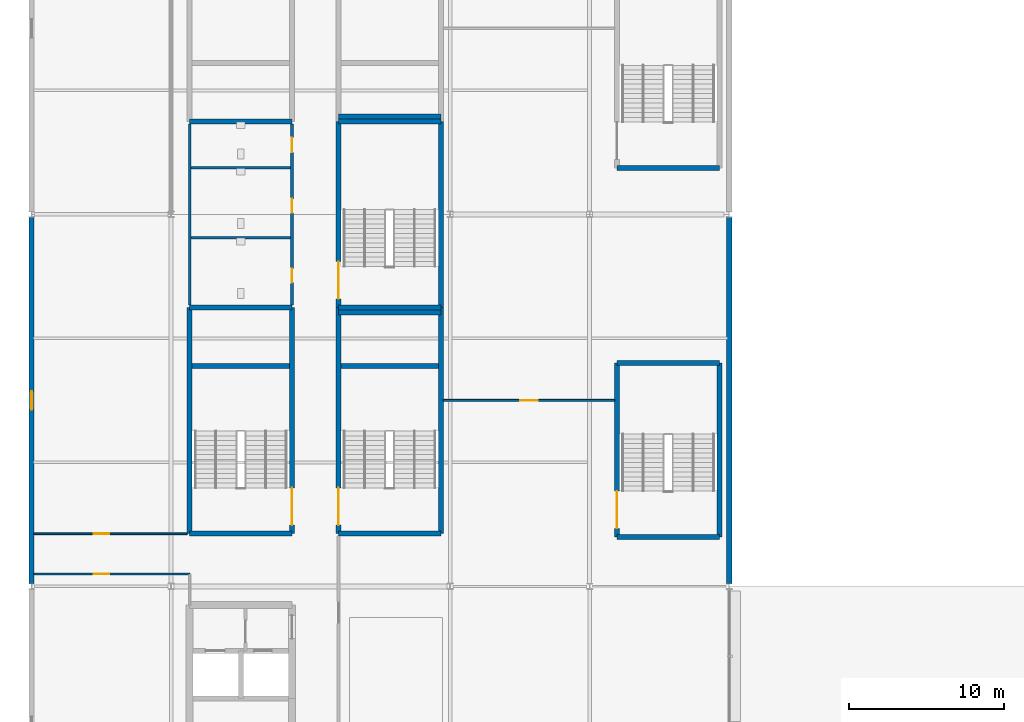
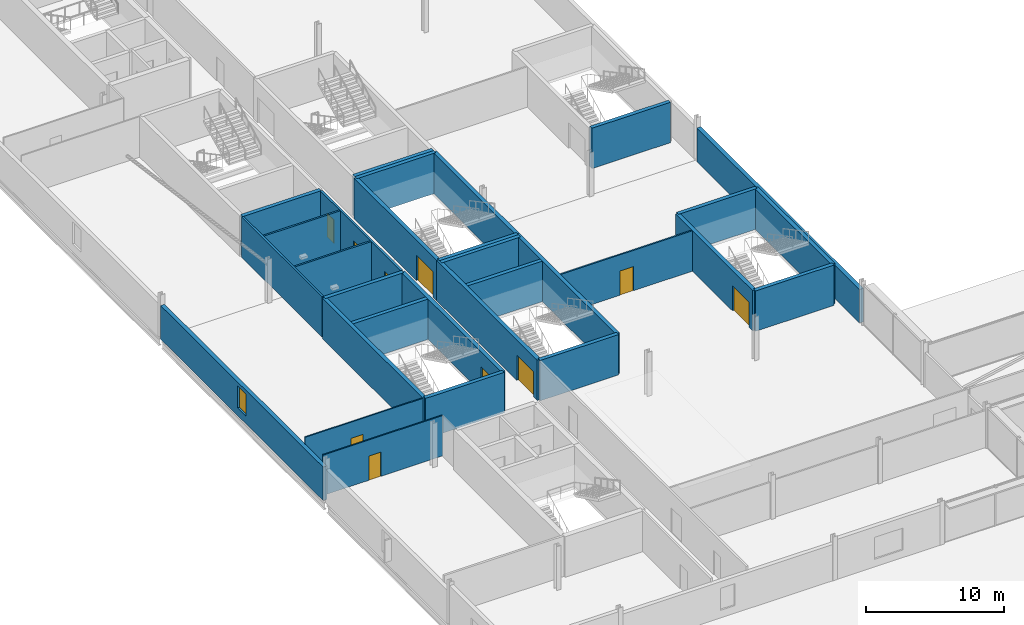
# One storey, part 61 of 105: 30 walls, 10 doors, 1 window, 11 openings.
"""IFC4 building model written with IfcOpenShell, lengths in metres."""

from ifc_helpers import new_model, si_unit, direction, frame, frame_2d, origin, place, context, subcontext, project, spatial, rectangle, extrude, material, layer, layer_set, type_object, element, fill, save


model = new_model("IFC4")

# Units and contexts
model_context = context("Model", 3, precision=1e-05, world=origin(), true_north=direction((0.0, 1.0)))
body_context = subcontext(model_context, "Body", "Model", "MODEL_VIEW")
ifc_project = project(units=[si_unit("LENGTHUNIT", "METRE"), si_unit("AREAUNIT", "SQUARE_METRE"), si_unit("VOLUMEUNIT", "CUBIC_METRE"), si_unit("PLANEANGLEUNIT", "RADIAN"), si_unit("MASSUNIT", "GRAM", prefix="KILO")], contexts=[model_context])

# Site, building, storey
site_placement = place(None, origin())
site = spatial("IfcSite", under=ifc_project, at=site_placement, CompositionType="ELEMENT")
building_placement = place(site_placement, origin())
building = spatial("IfcBuilding", under=site, at=building_placement, Name="Kisiwana Market Hall", CompositionType="ELEMENT")
storey_placement = place(building_placement, frame((0.0, 0.0, 21.60009765625)))
storey = spatial("IfcBuildingStorey", under=building, at=storey_placement, Name="L04", CompositionType="ELEMENT", Elevation=21.60009765625)

# Walls
ifc_material_1 = material(Name="Concrete C40/50", Category="concrete")
ifc_layer_1 = layer(ifc_material_1, 0.320068359375, Name="Reinforced concrete shaft wall")
ifc_layer_set_1 = layer_set([ifc_layer_1], Name="WL-CORE-320")
wall_type_1 = type_object("IfcWallType", Name="WL-CORE-320", PredefinedType="SHEAR", material=ifc_layer_set_1)
for number, where, z_axis, x_axis, name in (
    (1, (10.199951171875, 39.39990234375, 0.0), (0.0, 0.0, 1.0), (1.0, 0.0, 0.0), "Core W3 south shear wall W-1550"),
    (2, (10.199951171875, 54.0, 0.0), (0.0, 0.0, 1.0), (1.0, 0.0, 0.0), "Core W3 north shear wall W-1551"),
):
    element("IfcWall", number, at=place(storey_placement, frame(where, z_axis=z_axis, x_axis=x_axis)), inside=storey, type_object=wall_type_1, Name=name, PredefinedType="SHEAR", context=body_context, shape_type="SweptSolid", body=[
        extrude(rectangle(XDim=6.60009765625, YDim=0.320068359375, at=frame_2d((3.300048828125, 0.0))), origin(), (0.0, 0.0, 1.0), 3.5849609375),
    ])
wall_1_placement = place(storey_placement, frame((10.199951171875, 39.39990234375, 0.0), z_axis=(0.0, 0.0, 1.0), x_axis=(0.0, 1.0, 0.0)))
element("IfcWall", 3, at=wall_1_placement, inside=storey, type_object=wall_type_1, Name="Core W3 outer shear wall W-1552", PredefinedType="SHEAR", context=body_context, shape_type="SweptSolid", body=[
    extrude(rectangle(XDim=14.60009765625, YDim=0.320068359375, at=frame_2d((7.300048828125, 0.0))), origin(), (0.0, 0.0, 1.0), 3.5849609375),
])

# Wall, opening, door
wall_2_placement = place(storey_placement, frame((16.800048828125, 39.39990234375, 0.0), z_axis=(0.0, 0.0, 1.0), x_axis=(0.0, 1.0, 0.0)))
wall_2 = element("IfcWall", 4, at=wall_2_placement, inside=storey, type_object=wall_type_1, Name="Core W3 corridor shear wall W-1553", PredefinedType="SHEAR", context=body_context, shape_type="SweptSolid", body=[
    extrude(rectangle(XDim=14.60009765625, YDim=0.320068359375, at=frame_2d((7.300048828125, 0.0))), origin(), (0.0, 0.0, 1.0), 3.5849609375),
])
opening_1_placement = place(wall_2_placement, frame((0.550048828125, 0.0, 0.0)))
opening_1 = element("IfcOpeningElement", 5, at=opening_1_placement, cuts=wall_2, Name="Opening DR-L04-013", PredefinedType="OPENING", context=body_context, shape_type="SweptSolid", body=[
    extrude(rectangle(XDim=2.39990234375, YDim=2.25, at=frame_2d((1.199951171875, 1.125))), frame((0.0, 0.171875, 0.0), z_axis=(0.0, -1.0, 0.0), x_axis=(1.0, 0.0, 0.0)), (0.0, 0.0, 1.0), 0.343994140625),
])
ifc_material_2 = material(Name="Steel S275", Category="steel")
door_type_1 = type_object("IfcDoorType", Name="DR-STAIR-FD120-2400", OperationType="DOUBLE_DOOR_SINGLE_SWING", PredefinedType="DOOR", material=ifc_material_2)
door_1_placement = place(opening_1_placement, origin())
door_1 = element("IfcDoor", 6, at=door_1_placement, inside=storey, type_object=door_type_1, Name="Escape Stair W3 Fire Door (L04)", OperationType="DOUBLE_DOOR_SINGLE_SWING", OverallHeight=2.25, OverallWidth=2.39990234375, PredefinedType="DOOR", context=body_context, shape_type="SweptSolid", body=[
    extrude(rectangle(XDim=2.39990234375, YDim=2.25, at=frame_2d((1.199951171875, 1.125))), frame((0.0, 0.02490234375, 0.0), z_axis=(0.0, -1.0, 0.0), x_axis=(1.0, 0.0, 0.0)), (0.0, 0.0, 1.0), 0.050048828125),
])
fill(opening_1, door_1)

# Walls
wall_3_placement = place(storey_placement, frame((10.360107421875, 50.219970703125, 0.0), z_axis=(0.0, 0.0, 1.0), x_axis=(1.0, 0.0, 0.0)))
element("IfcWall", 7, at=wall_3_placement, inside=storey, type_object=wall_type_1, Name="Core W3 riser divider shear wall W-1554", PredefinedType="SHEAR", context=body_context, shape_type="SweptSolid", body=[
    extrude(rectangle(XDim=6.27978515625, YDim=0.320068359375, at=frame_2d((3.139892578125, 0.0))), origin(), (0.0, 0.0, 1.0), 3.5849609375),
])
wall_4_placement = place(storey_placement, frame((10.199951171875, 66.0, 0.0), z_axis=(0.0, 0.0, 1.0), x_axis=(1.0, 0.0, 0.0)))
element("IfcWall", 8, at=wall_4_placement, inside=storey, type_object=wall_type_1, Name="Core W4 south shear wall W-1555", PredefinedType="SHEAR", context=body_context, shape_type="SweptSolid", body=[
    extrude(rectangle(XDim=6.60009765625, YDim=0.320068359375, at=frame_2d((3.300048828125, 0.0))), origin(), (0.0, 0.0, 1.0), 3.5849609375),
])
for number, where, z_axis, x_axis, name in (
    (9, (19.800048828125, 39.39990234375, 0.0), (0.0, 0.0, 1.0), (1.0, 0.0, 0.0), "Core W7 south shear wall W-1570"),
    (10, (19.800048828125, 54.0, 0.0), (0.0, 0.0, 1.0), (1.0, 0.0, 0.0), "Core W7 north shear wall W-1571"),
):
    element("IfcWall", number, at=place(storey_placement, frame(where, z_axis=z_axis, x_axis=x_axis)), inside=storey, type_object=wall_type_1, Name=name, PredefinedType="SHEAR", context=body_context, shape_type="SweptSolid", body=[
        extrude(rectangle(XDim=6.599853515625, YDim=0.320068359375, at=frame_2d((3.2998046875, 0.0))), origin(), (0.0, 0.0, 1.0), 3.5849609375),
    ])

# Wall, opening, door
wall_5_placement = place(storey_placement, frame((19.800048828125, 39.39990234375, 0.0), z_axis=(0.0, 0.0, 1.0), x_axis=(0.0, 1.0, 0.0)))
wall_5 = element("IfcWall", 11, at=wall_5_placement, inside=storey, type_object=wall_type_1, Name="Core W7 corridor shear wall W-1572", PredefinedType="SHEAR", context=body_context, shape_type="SweptSolid", body=[
    extrude(rectangle(XDim=14.60009765625, YDim=0.320068359375, at=frame_2d((7.300048828125, 0.0))), origin(), (0.0, 0.0, 1.0), 3.5849609375),
])
opening_2_placement = place(wall_5_placement, frame((0.550048828125, 0.0, 0.0)))
opening_2 = element("IfcOpeningElement", 12, at=opening_2_placement, cuts=wall_5, Name="Opening DR-L04-017", PredefinedType="OPENING", context=body_context, shape_type="SweptSolid", body=[
    extrude(rectangle(XDim=2.39990234375, YDim=2.25, at=frame_2d((1.199951171875, 1.125))), frame((0.0, 0.171875, 0.0), z_axis=(0.0, -1.0, 0.0), x_axis=(1.0, 0.0, 0.0)), (0.0, 0.0, 1.0), 0.343994140625),
])
door_2_placement = place(opening_2_placement, frame((2.39990234375, 0.0, 0.0), z_axis=(0.0, 0.0, 1.0), x_axis=(-1.0, 0.0, 0.0)))
door_2 = element("IfcDoor", 13, at=door_2_placement, inside=storey, type_object=door_type_1, Name="Escape Stair W7 Fire Door (L04)", OperationType="DOUBLE_DOOR_SINGLE_SWING", OverallHeight=2.25, OverallWidth=2.39990234375, PredefinedType="DOOR", context=body_context, shape_type="SweptSolid", body=[
    extrude(rectangle(XDim=2.39990234375, YDim=2.25, at=frame_2d((1.199951171875, 1.125))), frame((0.0, 0.02490234375, 0.0), z_axis=(0.0, -1.0, 0.0), x_axis=(1.0, 0.0, 0.0)), (0.0, 0.0, 1.0), 0.050048828125),
])
fill(opening_2, door_2)

# Walls
wall_6_placement = place(storey_placement, frame((26.39990234375, 39.39990234375, 0.0), z_axis=(0.0, 0.0, 1.0), x_axis=(0.0, 1.0, 0.0)))
element("IfcWall", 14, at=wall_6_placement, inside=storey, type_object=wall_type_1, Name="Core W7 outer shear wall W-1573", PredefinedType="SHEAR", context=body_context, shape_type="SweptSolid", body=[
    extrude(rectangle(XDim=14.60009765625, YDim=0.320068359375, at=frame_2d((7.300048828125, 0.0))), origin(), (0.0, 0.0, 1.0), 3.5849609375),
])
wall_7_placement = place(storey_placement, frame((19.9599609375, 50.219970703125, 0.0), z_axis=(0.0, 0.0, 1.0), x_axis=(1.0, 0.0, 0.0)))
element("IfcWall", 15, at=wall_7_placement, inside=storey, type_object=wall_type_1, Name="Core W7 riser divider shear wall W-1574", PredefinedType="SHEAR", context=body_context, shape_type="SweptSolid", body=[
    extrude(rectangle(XDim=6.280029296875, YDim=0.320068359375, at=frame_2d((3.14013671875, 0.0))), origin(), (0.0, 0.0, 1.0), 3.5849609375),
])
wall_8_placement = place(storey_placement, frame((19.800048828125, 66.0, 0.0), z_axis=(0.0, 0.0, 1.0), x_axis=(1.0, 0.0, 0.0)))
element("IfcWall", 16, at=wall_8_placement, inside=storey, type_object=wall_type_1, Name="Core W8 south shear wall W-1580", PredefinedType="SHEAR", context=body_context, shape_type="SweptSolid", body=[
    extrude(rectangle(XDim=6.599853515625, YDim=0.320068359375, at=frame_2d((3.2998046875, 0.0))), origin(), (0.0, 0.0, 1.0), 3.5849609375),
])
for number, where, z_axis, x_axis, name in (
    (17, (37.77001953125, 39.199951171875, 0.0), (0.0, 0.0, 1.0), (1.0, 0.0, 0.0), "Core W9 south shear wall W-1590"),
    (18, (37.77001953125, 50.39990234375, 0.0), (0.0, 0.0, 1.0), (1.0, 0.0, 0.0), "Core W9 north shear wall W-1591"),
):
    element("IfcWall", number, at=place(storey_placement, frame(where, z_axis=z_axis, x_axis=x_axis)), inside=storey, type_object=wall_type_1, Name=name, PredefinedType="SHEAR", context=body_context, shape_type="SweptSolid", body=[
        extrude(rectangle(XDim=6.60009765625, YDim=0.320068359375, at=frame_2d((3.300048828125, 0.0))), origin(), (0.0, 0.0, 1.0), 3.5849609375),
    ])

# Wall, opening, door
wall_9_placement = place(storey_placement, frame((37.77001953125, 39.199951171875, 0.0), z_axis=(0.0, 0.0, 1.0), x_axis=(0.0, 1.0, 0.0)))
wall_9 = element("IfcWall", 19, at=wall_9_placement, inside=storey, type_object=wall_type_1, Name="Core W9 corridor shear wall W-1592", PredefinedType="SHEAR", context=body_context, shape_type="SweptSolid", body=[
    extrude(rectangle(XDim=11.199951171875, YDim=0.320068359375, at=frame_2d((5.60009765625, 0.0))), origin(), (0.0, 0.0, 1.0), 3.5849609375),
])
opening_3_placement = place(wall_9_placement, frame((0.550048828125, 0.0, 0.0)))
opening_3 = element("IfcOpeningElement", 20, at=opening_3_placement, cuts=wall_9, Name="Opening DR-L04-021", PredefinedType="OPENING", context=body_context, shape_type="SweptSolid", body=[
    extrude(rectangle(XDim=2.39990234375, YDim=2.25, at=frame_2d((1.199951171875, 1.125))), frame((0.0, 0.171875, 0.0), z_axis=(0.0, -1.0, 0.0), x_axis=(1.0, 0.0, 0.0)), (0.0, 0.0, 1.0), 0.343994140625),
])
door_3_placement = place(opening_3_placement, frame((2.39990234375, 0.0, 0.0), z_axis=(0.0, 0.0, 1.0), x_axis=(-1.0, 0.0, 0.0)))
door_3 = element("IfcDoor", 21, at=door_3_placement, inside=storey, type_object=door_type_1, Name="Escape Stair W9 Fire Door (L04)", OperationType="DOUBLE_DOOR_SINGLE_SWING", OverallHeight=2.25, OverallWidth=2.39990234375, PredefinedType="DOOR", context=body_context, shape_type="SweptSolid", body=[
    extrude(rectangle(XDim=2.39990234375, YDim=2.25, at=frame_2d((1.199951171875, 1.125))), frame((0.0, 0.02490234375, 0.0), z_axis=(0.0, -1.0, 0.0), x_axis=(1.0, 0.0, 0.0)), (0.0, 0.0, 1.0), 0.050048828125),
])
fill(opening_3, door_3)

# Walls
wall_10_placement = place(storey_placement, frame((44.3701171875, 39.199951171875, 0.0), z_axis=(0.0, 0.0, 1.0), x_axis=(0.0, 1.0, 0.0)))
element("IfcWall", 22, at=wall_10_placement, inside=storey, type_object=wall_type_1, Name="Core W9 outer shear wall W-1593", PredefinedType="SHEAR", context=body_context, shape_type="SweptSolid", body=[
    extrude(rectangle(XDim=11.199951171875, YDim=0.320068359375, at=frame_2d((5.60009765625, 0.0))), origin(), (0.0, 0.0, 1.0), 3.5849609375),
])
wall_11_placement = place(storey_placement, frame((37.77001953125, 63.0, 0.0), z_axis=(0.0, 0.0, 1.0), x_axis=(1.0, 0.0, 0.0)))
element("IfcWall", 23, at=wall_11_placement, inside=storey, type_object=wall_type_1, Name="Core W10 south shear wall W-1598", PredefinedType="SHEAR", context=body_context, shape_type="SweptSolid", body=[
    extrude(rectangle(XDim=6.60009765625, YDim=0.320068359375, at=frame_2d((3.300048828125, 0.0))), origin(), (0.0, 0.0, 1.0), 3.5849609375),
])
for number, where, z_axis, x_axis, name in (
    (24, (19.800048828125, 53.679931640625, 0.0), (0.0, 0.0, 1.0), (1.0, 0.0, 0.0), "Core W5 south shear wall W-1606"),
    (25, (19.800048828125, 66.320068359375, 0.0), (0.0, 0.0, 1.0), (1.0, 0.0, 0.0), "Core W5 north shear wall W-1607"),
):
    element("IfcWall", number, at=place(storey_placement, frame(where, z_axis=z_axis, x_axis=x_axis)), inside=storey, type_object=wall_type_1, Name=name, PredefinedType="SHEAR", context=body_context, shape_type="SweptSolid", body=[
        extrude(rectangle(XDim=6.599853515625, YDim=0.320068359375, at=frame_2d((3.2998046875, 0.0))), origin(), (0.0, 0.0, 1.0), 3.5849609375),
    ])

# Wall, opening, door
wall_12_placement = place(storey_placement, frame((19.800048828125, 54.0, 0.0), z_axis=(0.0, 0.0, 1.0), x_axis=(0.0, 1.0, 0.0)))
wall_12 = element("IfcWall", 26, at=wall_12_placement, inside=storey, type_object=wall_type_1, Name="Core W5 corridor shear wall W-1608", PredefinedType="SHEAR", context=body_context, shape_type="SweptSolid", body=[
    extrude(rectangle(XDim=12.0, YDim=0.320068359375, at=frame_2d((6.0, 0.0))), origin(), (0.0, 0.0, 1.0), 3.5849609375),
])
opening_4_placement = place(wall_12_placement, frame((0.550048828125, 0.0, 0.0)))
opening_4 = element("IfcOpeningElement", 27, at=opening_4_placement, cuts=wall_12, Name="Opening DR-L04-025", PredefinedType="OPENING", context=body_context, shape_type="SweptSolid", body=[
    extrude(rectangle(XDim=2.39990234375, YDim=2.25, at=frame_2d((1.199951171875, 1.125))), frame((0.0, 0.171875, 0.0), z_axis=(0.0, -1.0, 0.0), x_axis=(1.0, 0.0, 0.0)), (0.0, 0.0, 1.0), 0.343994140625),
])
door_4_placement = place(opening_4_placement, frame((2.39990234375, 0.0, 0.0), z_axis=(0.0, 0.0, 1.0), x_axis=(-1.0, 0.0, 0.0)))
door_4 = element("IfcDoor", 28, at=door_4_placement, inside=storey, type_object=door_type_1, Name="Escape Stair W5 Fire Door (L04)", OperationType="DOUBLE_DOOR_SINGLE_SWING", OverallHeight=2.25, OverallWidth=2.39990234375, PredefinedType="DOOR", context=body_context, shape_type="SweptSolid", body=[
    extrude(rectangle(XDim=2.39990234375, YDim=2.25, at=frame_2d((1.199951171875, 1.125))), frame((0.0, 0.02490234375, 0.0), z_axis=(0.0, -1.0, 0.0), x_axis=(1.0, 0.0, 0.0)), (0.0, 0.0, 1.0), 0.050048828125),
])
fill(opening_4, door_4)

# Walls
wall_13_placement = place(storey_placement, frame((26.39990234375, 54.0, 0.0), z_axis=(0.0, 0.0, 1.0), x_axis=(0.0, 1.0, 0.0)))
element("IfcWall", 29, at=wall_13_placement, inside=storey, type_object=wall_type_1, Name="Core W5 outer shear wall W-1609", PredefinedType="SHEAR", context=body_context, shape_type="SweptSolid", body=[
    extrude(rectangle(XDim=12.0, YDim=0.320068359375, at=frame_2d((6.0, 0.0))), origin(), (0.0, 0.0, 1.0), 3.5849609375),
])
ifc_material_3 = material(Name="Masonry blockwork", Category="masonry")
ifc_layer_2 = layer(ifc_material_3, 0.169921875, Name="Protected corridor partition")
ifc_layer_set_2 = layer_set([ifc_layer_2], Name="WL-CORR-170")
wall_type_2 = type_object("IfcWallType", Name="WL-CORR-170", PredefinedType="PARTITIONING", material=ifc_layer_set_2)
wall_14_placement = place(storey_placement, frame((10.199951171875, 54.159912109375, 0.0), z_axis=(0.0, 0.0, 1.0), x_axis=(0.0, 1.0, 0.0)))
element("IfcWall", 30, at=wall_14_placement, inside=storey, type_object=wall_type_2, Name="Interior partition W-1642", PredefinedType="PARTITIONING", context=body_context, shape_type="SweptSolid", body=[
    extrude(rectangle(XDim=11.68017578125, YDim=0.169921875, at=frame_2d((5.840087890625, 0.0))), origin(), (0.0, 0.0, 1.0), 3.5849609375),
])

# Wall, openings, doors
wall_15_placement = place(storey_placement, frame((16.800048828125, 54.159912109375, 0.0), z_axis=(0.0, 0.0, 1.0), x_axis=(0.0, 1.0, 0.0)))
wall_15 = element("IfcWall", 31, at=wall_15_placement, inside=storey, type_object=wall_type_2, Name="Interior partition W-1643", PredefinedType="PARTITIONING", context=body_context, shape_type="SweptSolid", body=[
    extrude(rectangle(XDim=11.68017578125, YDim=0.169921875, at=frame_2d((5.840087890625, 0.0))), origin(), (0.0, 0.0, 1.0), 3.5849609375),
])
opening_5_placement = place(wall_15_placement, frame((1.43994140625, 0.0, 0.0)))
opening_5 = element("IfcOpeningElement", 32, at=opening_5_placement, cuts=wall_15, Name="Opening DR-L04-027", PredefinedType="OPENING", context=body_context, shape_type="SweptSolid", body=[
    extrude(rectangle(XDim=0.89990234375, YDim=2.10009765625, at=frame_2d((0.449951171875, 1.050048828125))), frame((0.0, 0.096923828125, 0.0), z_axis=(0.0, -1.0, 0.0), x_axis=(1.0, 0.0, 0.0)), (0.0, 0.0, 1.0), 0.19384765625),
])
opening_6_placement = place(wall_15_placement, frame((5.93994140625, 0.0, 0.0)))
opening_6 = element("IfcOpeningElement", 33, at=opening_6_placement, cuts=wall_15, Name="Opening DR-L04-028", PredefinedType="OPENING", context=body_context, shape_type="SweptSolid", body=[
    extrude(rectangle(XDim=0.89990234375, YDim=2.10009765625, at=frame_2d((0.449951171875, 1.050048828125))), frame((0.0, 0.096923828125, 0.0), z_axis=(0.0, -1.0, 0.0), x_axis=(1.0, 0.0, 0.0)), (0.0, 0.0, 1.0), 0.19384765625),
])
opening_7_placement = place(wall_15_placement, frame((9.840087890625, 0.0, 0.0)))
opening_7 = element("IfcOpeningElement", 34, at=opening_7_placement, cuts=wall_15, Name="Opening DR-L04-029", PredefinedType="OPENING", context=body_context, shape_type="SweptSolid", body=[
    extrude(rectangle(XDim=0.949951171875, YDim=2.10009765625, at=frame_2d((0.47509765625, 1.050048828125))), frame((0.0, 0.096923828125, 0.0), z_axis=(0.0, -1.0, 0.0), x_axis=(1.0, 0.0, 0.0)), (0.0, 0.0, 1.0), 0.19384765625),
])
ifc_material_4 = material(Name="Aluminium alloy 6063-T6", Category="aluminium")
door_type_2 = type_object("IfcDoorType", Name="DR-WC-ACC-950", OperationType="NOTDEFINED", PredefinedType="DOOR", material=ifc_material_4)
door_5_placement = place(opening_7_placement, origin())
door_5 = element("IfcDoor", 35, at=door_5_placement, inside=storey, type_object=door_type_2, Name="L04 W Accessible WC Door", OperationType="SINGLE_SWING_RIGHT", OverallHeight=2.10009765625, OverallWidth=0.949951171875, PredefinedType="DOOR", context=body_context, shape_type="SweptSolid", body=[
    extrude(rectangle(XDim=0.949951171875, YDim=2.10009765625, at=frame_2d((0.47509765625, 1.050048828125))), frame((0.0, 0.02490234375, 0.0), z_axis=(0.0, -1.0, 0.0), x_axis=(1.0, 0.0, 0.0)), (0.0, 0.0, 1.0), 0.050048828125),
])
fill(opening_7, door_5)
ifc_material_5 = material(Name="Aluminium alloy 6063-T6", Category="aluminium")
door_type_3 = type_object("IfcDoorType", Name="DR-WC-STD-900", OperationType="NOTDEFINED", PredefinedType="DOOR", material=ifc_material_5)
door_6_placement = place(opening_5_placement, origin())
door_6 = element("IfcDoor", 36, at=door_6_placement, inside=storey, type_object=door_type_3, Name="L04 W Male Toilet Door", OperationType="SINGLE_SWING_LEFT", OverallHeight=2.10009765625, OverallWidth=0.89990234375, PredefinedType="DOOR", context=body_context, shape_type="SweptSolid", body=[
    extrude(rectangle(XDim=0.89990234375, YDim=2.10009765625, at=frame_2d((0.449951171875, 1.050048828125))), frame((0.0, 0.02490234375, 0.0), z_axis=(0.0, -1.0, 0.0), x_axis=(1.0, 0.0, 0.0)), (0.0, 0.0, 1.0), 0.050048828125),
])
fill(opening_5, door_6)
door_7_placement = place(opening_6_placement, origin())
door_7 = element("IfcDoor", 37, at=door_7_placement, inside=storey, type_object=door_type_3, Name="L04 W Female Toilet Door", OperationType="SINGLE_SWING_RIGHT", OverallHeight=2.10009765625, OverallWidth=0.89990234375, PredefinedType="DOOR", context=body_context, shape_type="SweptSolid", body=[
    extrude(rectangle(XDim=0.89990234375, YDim=2.10009765625, at=frame_2d((0.449951171875, 1.050048828125))), frame((0.0, 0.02490234375, 0.0), z_axis=(0.0, -1.0, 0.0), x_axis=(1.0, 0.0, 0.0)), (0.0, 0.0, 1.0), 0.050048828125),
])
fill(opening_6, door_7)

# Wall, opening, window
ifc_material_6 = material(Name="Concrete C40/50 precast", Category="concrete")
ifc_layer_3 = layer(ifc_material_6, 0.14990234375, Name="Precast architectural concrete spandrel")
ifc_material_7 = material(Name="Mineral wool insulation")
ifc_layer_4 = layer(ifc_material_7, 0.090087890625, Name="Rockwool thermal insulation")
ifc_material_8 = material(Name="Masonry blockwork", Category="masonry")
ifc_layer_5 = layer(ifc_material_8, 0.10009765625, Name="Inner masonry block leaf")
ifc_layer_set_3 = layer_set([ifc_layer_3, ifc_layer_4, ifc_layer_5], Name="WL-EXT-PREC-340")
wall_type_3 = type_object("IfcWallType", Name="WL-EXT-PREC-340", PredefinedType="STANDARD", material=ifc_layer_set_3)
wall_16_placement = place(storey_placement, frame((0.0, 36.18212890625, 0.0), z_axis=(0.0, 0.0, 1.0), x_axis=(0.0, 1.0, 0.0)))
wall_16 = element("IfcWall", 38, at=wall_16_placement, inside=storey, type_object=wall_type_3, Name="Exterior wall W-1626", PredefinedType="STANDARD", context=body_context, shape_type="SweptSolid", body=[
    extrude(rectangle(XDim=23.6357421875, YDim=0.340087890625, at=frame_2d((11.81787109375, 0.0))), origin(), (0.0, 0.0, 1.0), 2.97265625),
])
opening_8_placement = place(wall_16_placement, frame((11.2177734375, 0.0, 0.699951171875)))
opening_8 = element("IfcOpeningElement", 39, at=opening_8_placement, cuts=wall_16, Name="Opening WN-15", PredefinedType="OPENING", context=body_context, shape_type="SweptSolid", body=[
    extrude(rectangle(XDim=1.199951171875, YDim=1.949951171875, at=frame_2d((0.60009765625, 0.97509765625))), frame((0.0, 0.18212890625, 0.0), z_axis=(0.0, -1.0, 0.0), x_axis=(1.0, 0.0, 0.0)), (0.0, 0.0, 1.0), 0.364013671875),
])
ifc_material_9 = material(Name="Double-glazed solar-control low-E IGU", Category="glass")
window_type = type_object("IfcWindowType", Name="WN-OFFA-1200x1950", PartitioningType="SINGLE_PANEL", PredefinedType="WINDOW", material=ifc_material_9)
window_placement = place(opening_8_placement, origin())
window = element("IfcWindow", 40, at=window_placement, inside=storey, type_object=window_type, Name="Exterior window WN-148", OverallHeight=1.949951171875, OverallWidth=1.199951171875, PartitioningType="SINGLE_PANEL", PredefinedType="WINDOW", context=body_context, shape_type="SweptSolid", body=[
    extrude(rectangle(XDim=1.199951171875, YDim=1.949951171875, at=frame_2d((0.60009765625, 0.97509765625))), frame((0.0, 0.030029296875, 0.0), z_axis=(0.0, -1.0, 0.0), x_axis=(1.0, 0.0, 0.0)), (0.0, 0.0, 1.0), 0.06005859375),
])
fill(opening_8, window)

# Wall
wall_17_placement = place(storey_placement, frame((45.0, 36.18212890625, 0.0), z_axis=(0.0, 0.0, 1.0), x_axis=(0.0, 1.0, 0.0)))
element("IfcWall", 41, at=wall_17_placement, inside=storey, type_object=wall_type_3, Name="Exterior wall W-1629", PredefinedType="STANDARD", context=body_context, shape_type="SweptSolid", body=[
    extrude(rectangle(XDim=23.6357421875, YDim=0.340087890625, at=frame_2d((11.81787109375, 0.0))), origin(), (0.0, 0.0, 1.0), 2.97265625),
])

# Wall, opening, door
ifc_material_10 = material(Name="Gypsum plasterboard")
ifc_layer_6 = layer(ifc_material_10, 0.125, Name="Double gypsum board + acoustic stud")
ifc_layer_set_4 = layer_set([ifc_layer_6], Name="WL-OFF-125")
wall_type_4 = type_object("IfcWallType", Name="WL-OFF-125", PredefinedType="PARTITIONING", material=ifc_layer_set_4)
wall_18_placement = place(storey_placement, frame((26.56005859375, 48.0, 0.0), z_axis=(0.0, 0.0, 1.0), x_axis=(1.0, 0.0, 0.0)))
wall_18 = element("IfcWall", 42, at=wall_18_placement, inside=storey, type_object=wall_type_4, Name="Interior partition W-1660", PredefinedType="PARTITIONING", context=body_context, shape_type="SweptSolid", body=[
    extrude(rectangle(XDim=11.050048828125, YDim=0.125, at=frame_2d((5.52490234375, 0.0))), origin(), (0.0, 0.0, 1.0), 3.5849609375),
])
opening_9_placement = place(wall_18_placement, frame((4.949951171875, 0.0, 0.0)))
opening_9 = element("IfcOpeningElement", 43, at=opening_9_placement, cuts=wall_18, Name="Opening DR-L04-036", PredefinedType="OPENING", context=body_context, shape_type="SweptSolid", body=[
    extrude(rectangle(XDim=1.14990234375, YDim=2.14990234375, at=frame_2d((0.574951171875, 1.074951171875))), frame((0.0, 0.074462890625, 0.0), z_axis=(0.0, -1.0, 0.0), x_axis=(1.0, 0.0, 0.0)), (0.0, 0.0, 1.0), 0.14892578125),
])
ifc_material_11 = material(Name="Aluminium alloy 6063-T6", Category="aluminium")
door_type_4 = type_object("IfcDoorType", Name="DR-MEET-1150", OperationType="NOTDEFINED", PredefinedType="DOOR", material=ifc_material_11)
door_8_placement = place(opening_9_placement, origin())
door_8 = element("IfcDoor", 44, at=door_8_placement, inside=storey, type_object=door_type_4, Name="L04 W Open-Plan Office A3 Door", OperationType="SINGLE_SWING_RIGHT", OverallHeight=2.14990234375, OverallWidth=1.14990234375, PredefinedType="DOOR", context=body_context, shape_type="SweptSolid", body=[
    extrude(rectangle(XDim=1.14990234375, YDim=2.14990234375, at=frame_2d((0.574951171875, 1.074951171875))), frame((0.0, 0.02490234375, 0.0), z_axis=(0.0, -1.0, 0.0), x_axis=(1.0, 0.0, 0.0)), (0.0, 0.0, 1.0), 0.050048828125),
])
fill(opening_9, door_8)

ifc_material_12 = material(Name="Masonry blockwork", Category="masonry")
ifc_layer_7 = layer(ifc_material_12, 0.110107421875)
ifc_layer_set_5 = layer_set([ifc_layer_7], Name="WL-PART-110")
wall_type_5 = type_object("IfcWallType", Name="WL-PART-110", PredefinedType="PARTITIONING", material=ifc_layer_set_5)
wall_19_placement = place(storey_placement, frame((0.14501953125, 36.800048828125, 0.0), z_axis=(0.0, 0.0, 1.0), x_axis=(1.0, 0.0, 0.0)))
wall_19 = element("IfcWall", 45, at=wall_19_placement, inside=storey, type_object=wall_type_5, Name="Interior partition W-1650", PredefinedType="PARTITIONING", context=body_context, shape_type="SweptSolid", body=[
    extrude(rectangle(XDim=10.054931640625, YDim=0.110107421875, at=frame_2d((5.02734375, 0.0))), origin(), (0.0, 0.0, 1.0), 3.5849609375),
])
opening_10_placement = place(wall_19_placement, frame((3.85498046875, 0.0, 0.0)))
opening_10 = element("IfcOpeningElement", 46, at=opening_10_placement, cuts=wall_19, Name="Opening DR-L04-030", PredefinedType="OPENING", context=body_context, shape_type="SweptSolid", body=[
    extrude(rectangle(XDim=1.0, YDim=2.14990234375, at=frame_2d((0.5, 1.074951171875))), frame((0.0, 0.06689453125, 0.0), z_axis=(0.0, -1.0, 0.0), x_axis=(1.0, 0.0, 0.0)), (0.0, 0.0, 1.0), 0.134033203125),
])
ifc_material_13 = material(Name="Aluminium alloy 6063-T6", Category="aluminium")
door_type_5 = type_object("IfcDoorType", Name="DR-OFF-1000", OperationType="NOTDEFINED", PredefinedType="DOOR", material=ifc_material_13)
door_9_placement = place(opening_10_placement, frame((1.0, 0.0, 0.0), z_axis=(0.0, 0.0, 1.0), x_axis=(-1.0, 0.0, 0.0)))
door_9 = element("IfcDoor", 47, at=door_9_placement, inside=storey, type_object=door_type_5, Name="L04 W Commercial Office South Door", OperationType="SINGLE_SWING_RIGHT", OverallHeight=2.14990234375, OverallWidth=1.0, PredefinedType="DOOR", context=body_context, shape_type="SweptSolid", body=[
    extrude(rectangle(XDim=1.0, YDim=2.14990234375, at=frame_2d((0.5, 1.074951171875))), frame((0.0, 0.02490234375, 0.0), z_axis=(0.0, -1.0, 0.0), x_axis=(1.0, 0.0, 0.0)), (0.0, 0.0, 1.0), 0.050048828125),
])
fill(opening_10, door_9)

wall_20_placement = place(storey_placement, frame((0.14501953125, 39.39990234375, 0.0), z_axis=(0.0, 0.0, 1.0), x_axis=(1.0, 0.0, 0.0)))
wall_20 = element("IfcWall", 48, at=wall_20_placement, inside=storey, type_object=wall_type_5, Name="Interior partition W-1651", PredefinedType="PARTITIONING", context=body_context, shape_type="SweptSolid", body=[
    extrude(rectangle(XDim=9.89501953125, YDim=0.110107421875, at=frame_2d((4.947509765625, 0.0))), origin(), (0.0, 0.0, 1.0), 3.5849609375),
])
opening_11_placement = place(wall_20_placement, frame((3.85498046875, 0.0, 0.0)))
opening_11 = element("IfcOpeningElement", 49, at=opening_11_placement, cuts=wall_20, Name="Opening DR-L04-031", PredefinedType="OPENING", context=body_context, shape_type="SweptSolid", body=[
    extrude(rectangle(XDim=1.0, YDim=2.14990234375, at=frame_2d((0.5, 1.074951171875))), frame((0.0, 0.06689453125, 0.0), z_axis=(0.0, -1.0, 0.0), x_axis=(1.0, 0.0, 0.0)), (0.0, 0.0, 1.0), 0.134033203125),
])
door_10_placement = place(opening_11_placement, origin())
door_10 = element("IfcDoor", 50, at=door_10_placement, inside=storey, type_object=door_type_5, Name="L04 W Commercial Office Central Door", OperationType="SINGLE_SWING_LEFT", OverallHeight=2.14990234375, OverallWidth=1.0, PredefinedType="DOOR", context=body_context, shape_type="SweptSolid", body=[
    extrude(rectangle(XDim=1.0, YDim=2.14990234375, at=frame_2d((0.5, 1.074951171875))), frame((0.0, 0.02490234375, 0.0), z_axis=(0.0, -1.0, 0.0), x_axis=(1.0, 0.0, 0.0)), (0.0, 0.0, 1.0), 0.050048828125),
])
fill(opening_11, door_10)

# Walls
ifc_material_14 = material(Name="Masonry blockwork", Category="masonry")
ifc_layer_8 = layer(ifc_material_14, 0.14990234375, Name="Water-resistant sanitary block wall")
ifc_layer_set_6 = layer_set([ifc_layer_8], Name="WL-WET-150")
wall_type_6 = type_object("IfcWallType", Name="WL-WET-150", PredefinedType="PARTITIONING", material=ifc_layer_set_6)
for number, where, z_axis, x_axis, name in (
    (51, (10.284912109375, 58.5, 0.0), (0.0, 0.0, 1.0), (1.0, 0.0, 0.0), "Interior partition W-1644"),
    (52, (10.284912109375, 63.0, 0.0), (0.0, 0.0, 1.0), (1.0, 0.0, 0.0), "Interior partition W-1645"),
):
    element("IfcWall", number, at=place(storey_placement, frame(where, z_axis=z_axis, x_axis=x_axis)), inside=storey, type_object=wall_type_6, Name=name, PredefinedType="PARTITIONING", context=body_context, shape_type="SweptSolid", body=[
        extrude(rectangle(XDim=6.43017578125, YDim=0.14990234375, at=frame_2d((3.215087890625, 0.0))), origin(), (0.0, 0.0, 1.0), 3.5849609375),
    ])

save(model, "model.ifc")
